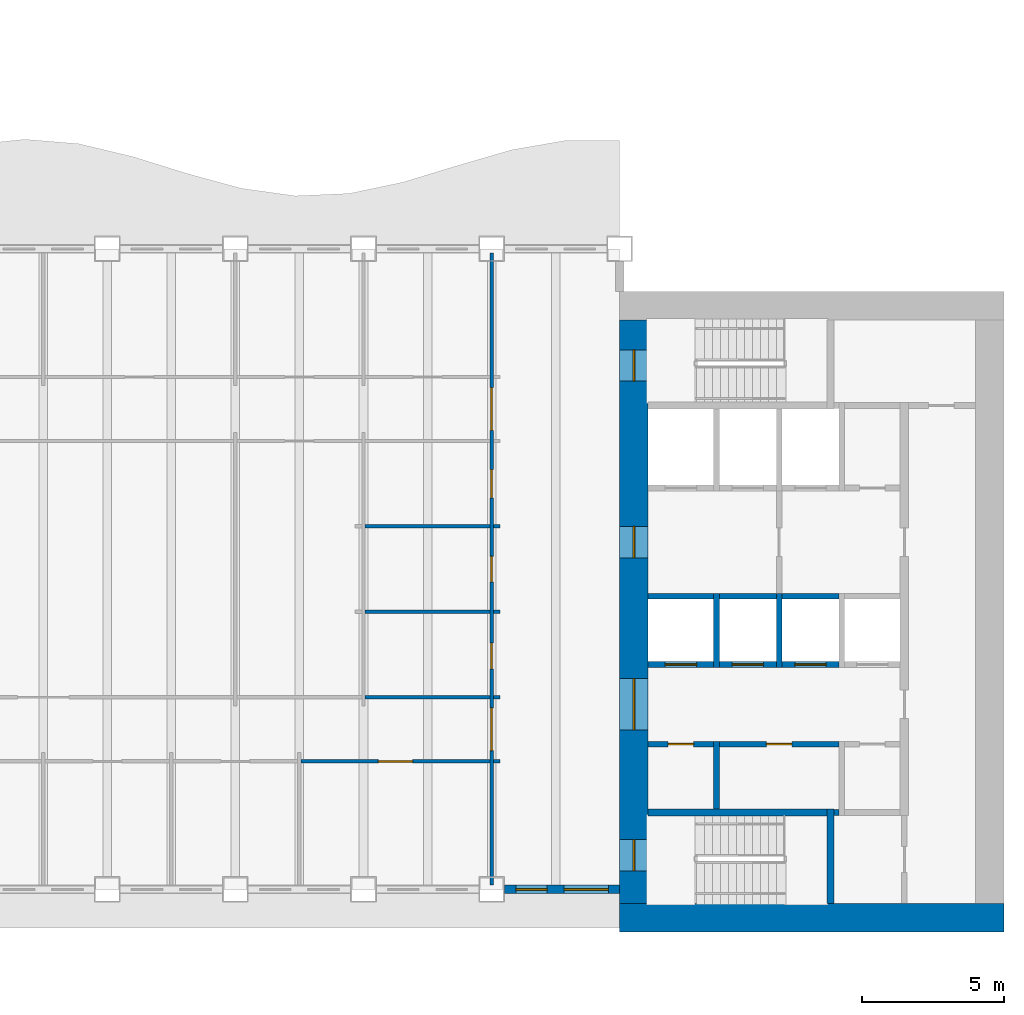
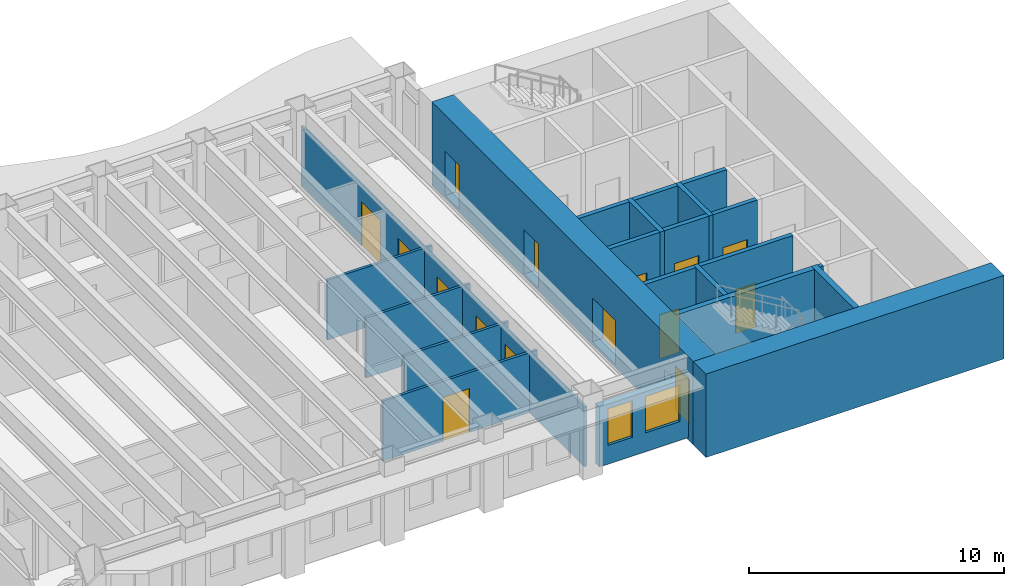
# One storey, part 6 of 16: 26 walls, 15 doors, 2 windows, 17 openings.
"""IFC4 building model written with IfcOpenShell, lengths in metres."""

from ifc_helpers import new_model, si_unit, direction, frame, frame_2d, origin, place, context, subcontext, project, spatial, rectangle, extrude, material, layer, layer_set, type_object, element, fill, save


model = new_model("IFC4")

# Units and contexts
model_context = context("Model", 3, precision=1e-05, world=origin(), true_north=direction((0.0, 1.0)))
body_context = subcontext(model_context, "Body", "Model", "MODEL_VIEW")
ifc_project = project(units=[si_unit("LENGTHUNIT", "METRE"), si_unit("AREAUNIT", "SQUARE_METRE"), si_unit("VOLUMEUNIT", "CUBIC_METRE"), si_unit("PLANEANGLEUNIT", "RADIAN"), si_unit("MASSUNIT", "GRAM", prefix="KILO")], contexts=[model_context])

# Site, building, storey
site_placement = place(None, origin())
site = spatial("IfcSite", under=ifc_project, at=site_placement, CompositionType="ELEMENT")
building_placement = place(site_placement, origin())
building = spatial("IfcBuilding", under=site, at=building_placement, Name="Sennacour Bend Tower", CompositionType="ELEMENT")
storey_placement = place(building_placement, frame((0.0, 0.0, 159.0)))
storey = spatial("IfcBuildingStorey", under=building, at=storey_placement, Name="L36", CompositionType="ELEMENT", Elevation=159.0)

# Wall
ifc_material_1 = material(Name="Concrete C60/75", Category="concrete")
ifc_layer_1 = layer(ifc_material_1, 1.0, Name="Concrete C60/75", Category="concrete")
ifc_layer_set_1 = layer_set([ifc_layer_1], Name="Concrete C60/75")
wall_type_1 = type_object("IfcWallType", Name="Core wall 1000 C60/75", PredefinedType="SHEAR", material=ifc_layer_set_1)
wall_1_placement = place(storey_placement, frame((67.5, 0.5, -0.14990234375), z_axis=(0.0, 0.0, 1.0), x_axis=(-1.0, 0.0, 0.0)))
element("IfcWall", 1, at=wall_1_placement, inside=storey, type_object=wall_type_1, Name="Core A wall L36 S", PredefinedType="SHEAR", context=body_context, shape_type="SweptSolid", body=[
    extrude(rectangle(XDim=13.5, YDim=1.0, at=frame_2d((6.75, 0.0))), origin(), (0.0, 0.0, 1.0), 4.0),
])

# Wall, openings, doors
wall_2_placement = place(storey_placement, frame((54.5, 1.0, -0.14990234375), z_axis=(0.0, 0.0, 1.0), x_axis=(0.0, 1.0, 0.0)))
wall_2 = element("IfcWall", 2, at=wall_2_placement, inside=storey, type_object=wall_type_1, Name="Core A wall L36 W", PredefinedType="SHEAR", context=body_context, shape_type="SweptSolid", body=[
    extrude(rectangle(XDim=20.5, YDim=1.0, at=frame_2d((10.25, 0.0))), origin(), (0.0, 0.0, 1.0), 4.0),
])
opening_1_placement = place(wall_2_placement, frame((6.10009765625, 0.0, 0.14990234375)))
opening_1 = element("IfcOpeningElement", 3, at=opening_1_placement, cuts=wall_2, Name="Opening CD", PredefinedType="OPENING", context=body_context, shape_type="SweptSolid", body=[
    extrude(rectangle(XDim=1.800048828125, YDim=2.10009765625, at=frame_2d((0.89990234375, 1.050048828125))), frame((0.0, 0.510009765625, 0.0), z_axis=(0.0, -1.0, 0.0), x_axis=(1.0, 0.0, 0.0)), (0.0, 0.0, 1.0), 1.02001953125),
])
opening_2_placement = place(wall_2_placement, frame((12.14990234375, 0.0, 0.14990234375)))
opening_2 = element("IfcOpeningElement", 4, at=opening_2_placement, cuts=wall_2, Name="Opening FD", PredefinedType="OPENING", context=body_context, shape_type="SweptSolid", body=[
    extrude(rectangle(XDim=1.10009765625, YDim=2.10009765625, at=frame_2d((0.550048828125, 1.050048828125))), frame((0.0, 0.510009765625, 0.0), z_axis=(0.0, -1.0, 0.0), x_axis=(1.0, 0.0, 0.0)), (0.0, 0.0, 1.0), 1.02001953125),
])
opening_3_placement = place(wall_2_placement, frame((1.14990234375, 0.0, 0.14990234375)))
opening_3 = element("IfcOpeningElement", 5, at=opening_3_placement, cuts=wall_2, Name="Opening SD", PredefinedType="OPENING", context=body_context, shape_type="SweptSolid", body=[
    extrude(rectangle(XDim=1.10009765625, YDim=2.10009765625, at=frame_2d((0.550048828125, 1.050048828125))), frame((0.0, 0.510009765625, 0.0), z_axis=(0.0, -1.0, 0.0), x_axis=(1.0, 0.0, 0.0)), (0.0, 0.0, 1.0), 1.02001953125),
])
opening_4_placement = place(wall_2_placement, frame((18.35009765625, 0.0, 0.14990234375)))
opening_4 = element("IfcOpeningElement", 6, at=opening_4_placement, cuts=wall_2, Name="Opening SD", PredefinedType="OPENING", context=body_context, shape_type="SweptSolid", body=[
    extrude(rectangle(XDim=1.10009765625, YDim=2.10009765625, at=frame_2d((0.550048828125, 1.050048828125))), frame((0.0, 0.510009765625, 0.0), z_axis=(0.0, -1.0, 0.0), x_axis=(1.0, 0.0, 0.0)), (0.0, 0.0, 1.0), 1.02001953125),
])
ifc_material_2 = material(Name="Painted steel", Category="steel")
door_type_1 = type_object("IfcDoorType", Name="DR-FFL-1100", OperationType="NOTDEFINED", PredefinedType="DOOR", material=ifc_material_2)
door_1_placement = place(opening_2_placement, origin())
door_1 = element("IfcDoor", 7, at=door_1_placement, inside=storey, type_object=door_type_1, Name="Door", OperationType="SINGLE_SWING_RIGHT", OverallHeight=2.10009765625, OverallWidth=1.10009765625, PredefinedType="DOOR", context=body_context, shape_type="SweptSolid", body=[
    extrude(rectangle(XDim=1.10009765625, YDim=2.10009765625, at=frame_2d((0.550048828125, 1.050048828125))), frame((0.0, 0.02490234375, 0.0), z_axis=(0.0, -1.0, 0.0), x_axis=(1.0, 0.0, 0.0)), (0.0, 0.0, 1.0), 0.050048828125),
])
fill(opening_2, door_1)
door_type_2 = type_object("IfcDoorType", Name="DR-LOBBY-1800", OperationType="NOTDEFINED", PredefinedType="DOOR", material=ifc_material_2)
door_2_placement = place(opening_1_placement, origin())
door_2 = element("IfcDoor", 8, at=door_2_placement, inside=storey, type_object=door_type_2, Name="Door", OperationType="DOUBLE_DOOR_SINGLE_SWING", OverallHeight=2.10009765625, OverallWidth=1.800048828125, PredefinedType="DOOR", context=body_context, shape_type="SweptSolid", body=[
    extrude(rectangle(XDim=1.800048828125, YDim=2.10009765625, at=frame_2d((0.89990234375, 1.050048828125))), frame((0.0, 0.02490234375, 0.0), z_axis=(0.0, -1.0, 0.0), x_axis=(1.0, 0.0, 0.0)), (0.0, 0.0, 1.0), 0.050048828125),
])
fill(opening_1, door_2)
door_type_3 = type_object("IfcDoorType", Name="DR-STAIR-1100", OperationType="NOTDEFINED", PredefinedType="DOOR", material=ifc_material_2)
door_3_placement = place(opening_3_placement, origin())
door_3 = element("IfcDoor", 9, at=door_3_placement, inside=storey, type_object=door_type_3, Name="Door", OperationType="SINGLE_SWING_LEFT", OverallHeight=2.10009765625, OverallWidth=1.10009765625, PredefinedType="DOOR", context=body_context, shape_type="SweptSolid", body=[
    extrude(rectangle(XDim=1.10009765625, YDim=2.10009765625, at=frame_2d((0.550048828125, 1.050048828125))), frame((0.0, 0.02490234375, 0.0), z_axis=(0.0, -1.0, 0.0), x_axis=(1.0, 0.0, 0.0)), (0.0, 0.0, 1.0), 0.050048828125),
])
fill(opening_3, door_3)
door_4_placement = place(opening_4_placement, origin())
door_4 = element("IfcDoor", 10, at=door_4_placement, inside=storey, type_object=door_type_3, Name="Door", OperationType="SINGLE_SWING_RIGHT", OverallHeight=2.10009765625, OverallWidth=1.10009765625, PredefinedType="DOOR", context=body_context, shape_type="SweptSolid", body=[
    extrude(rectangle(XDim=1.10009765625, YDim=2.10009765625, at=frame_2d((0.550048828125, 1.050048828125))), frame((0.0, 0.02490234375, 0.0), z_axis=(0.0, -1.0, 0.0), x_axis=(1.0, 0.0, 0.0)), (0.0, 0.0, 1.0), 0.050048828125),
])
fill(opening_4, door_4)

# Wall, opening, door
ifc_material_3 = material(Name="Plasterboard partition on steel studs", Category="steel")
ifc_layer_2 = layer(ifc_material_3, 0.1201171875, Name="Plasterboard partition on steel studs", Category="steel")
ifc_layer_set_2 = layer_set([ifc_layer_2], Name="Plasterboard partition on steel studs")
wall_type_2 = type_object("IfcWallType", Name="Partition 120", PredefinedType="PARTITIONING", material=ifc_layer_set_2)
wall_3_placement = place(storey_placement, frame((42.81005859375, 6.0, 0.0), z_axis=(0.0, 0.0, 1.0), x_axis=(1.0, 0.0, 0.0)))
wall_3 = element("IfcWall", 11, at=wall_3_placement, inside=storey, type_object=wall_type_2, Name="P-L36-W058ag", PredefinedType="PARTITIONING", context=body_context, shape_type="SweptSolid", body=[
    extrude(rectangle(XDim=6.6298828125, YDim=0.1201171875, at=frame_2d((3.31494140625, 0.0))), origin(), (0.0, 0.0, 1.0), 2.8701171875),
])
opening_5_placement = place(wall_3_placement, frame((2.71484375, 0.0, 0.0)))
opening_5 = element("IfcOpeningElement", 12, at=opening_5_placement, cuts=wall_3, Name="Opening OD", PredefinedType="OPENING", context=body_context, shape_type="SweptSolid", body=[
    extrude(rectangle(XDim=1.199951171875, YDim=2.10009765625, at=frame_2d((0.60009765625, 1.050048828125))), frame((0.0, 0.070068359375, 0.0), z_axis=(0.0, -1.0, 0.0), x_axis=(1.0, 0.0, 0.0)), (0.0, 0.0, 1.0), 0.14013671875),
])
ifc_material_4 = material(Name="Timber", Category="wood")
door_type_4 = type_object("IfcDoorType", Name="DR-OFFICE-1200", OperationType="NOTDEFINED", PredefinedType="DOOR", material=ifc_material_4)
door_5_placement = place(opening_5_placement, origin())
door_5 = element("IfcDoor", 13, at=door_5_placement, inside=storey, type_object=door_type_4, Name="Door", OperationType="SINGLE_SWING_LEFT", OverallHeight=2.10009765625, OverallWidth=1.199951171875, PredefinedType="DOOR", context=body_context, shape_type="SweptSolid", body=[
    extrude(rectangle(XDim=1.199951171875, YDim=2.10009765625, at=frame_2d((0.60009765625, 1.050048828125))), frame((0.0, 0.02490234375, 0.0), z_axis=(0.0, -1.0, 0.0), x_axis=(1.0, 0.0, 0.0)), (0.0, 0.0, 1.0), 0.050048828125),
])
fill(opening_5, door_5)

# Walls
wall_4_placement = place(storey_placement, frame((49.56005859375, 6.0, 0.0), z_axis=(0.0, 0.0, 1.0), x_axis=(1.0, 0.0, 0.0)))
element("IfcWall", 14, at=wall_4_placement, inside=storey, type_object=wall_type_2, Name="P-L36-W058ah", PredefinedType="PARTITIONING", context=body_context, shape_type="SweptSolid", body=[
    extrude(rectangle(XDim=0.239990234375, YDim=0.1201171875, at=frame_2d((0.1201171875, 0.0))), origin(), (0.0, 0.0, 1.0), 2.8701171875),
])
wall_5_placement = place(storey_placement, frame((45.06005859375, 8.25, 0.0), z_axis=(0.0, 0.0, 1.0), x_axis=(1.0, 0.0, 0.0)))
element("IfcWall", 15, at=wall_5_placement, inside=storey, type_object=wall_type_2, Name="P-L36-W060ad", PredefinedType="PARTITIONING", context=body_context, shape_type="SweptSolid", body=[
    extrude(rectangle(XDim=4.3798828125, YDim=0.1201171875, at=frame_2d((2.18994140625, 0.0))), origin(), (0.0, 0.0, 1.0), 2.8701171875),
])
wall_6_placement = place(storey_placement, frame((49.56005859375, 8.25, 0.0), z_axis=(0.0, 0.0, 1.0), x_axis=(1.0, 0.0, 0.0)))
element("IfcWall", 16, at=wall_6_placement, inside=storey, type_object=wall_type_2, Name="P-L36-W060ae", PredefinedType="PARTITIONING", context=body_context, shape_type="SweptSolid", body=[
    extrude(rectangle(XDim=0.239990234375, YDim=0.1201171875, at=frame_2d((0.1201171875, 0.0))), origin(), (0.0, 0.0, 1.0), 2.8701171875),
])
wall_7_placement = place(storey_placement, frame((45.06005859375, 11.25, 0.0), z_axis=(0.0, 0.0, 1.0), x_axis=(1.0, 0.0, 0.0)))
element("IfcWall", 17, at=wall_7_placement, inside=storey, type_object=wall_type_2, Name="P-L36-W064ab", PredefinedType="PARTITIONING", context=body_context, shape_type="SweptSolid", body=[
    extrude(rectangle(XDim=4.3798828125, YDim=0.1201171875, at=frame_2d((2.18994140625, 0.0))), origin(), (0.0, 0.0, 1.0), 2.8701171875),
])
wall_8_placement = place(storey_placement, frame((49.56005859375, 11.25, 0.0), z_axis=(0.0, 0.0, 1.0), x_axis=(1.0, 0.0, 0.0)))
element("IfcWall", 18, at=wall_8_placement, inside=storey, type_object=wall_type_2, Name="P-L36-W064ac", PredefinedType="PARTITIONING", context=body_context, shape_type="SweptSolid", body=[
    extrude(rectangle(XDim=0.239990234375, YDim=0.1201171875, at=frame_2d((0.1201171875, 0.0))), origin(), (0.0, 0.0, 1.0), 2.8701171875),
])
wall_9_placement = place(storey_placement, frame((45.06005859375, 14.25, 0.0), z_axis=(0.0, 0.0, 1.0), x_axis=(1.0, 0.0, 0.0)))
element("IfcWall", 19, at=wall_9_placement, inside=storey, type_object=wall_type_2, Name="P-L36-W066ab", PredefinedType="PARTITIONING", context=body_context, shape_type="SweptSolid", body=[
    extrude(rectangle(XDim=4.3798828125, YDim=0.1201171875, at=frame_2d((2.18994140625, 0.0))), origin(), (0.0, 0.0, 1.0), 2.8701171875),
])
wall_10_placement = place(storey_placement, frame((49.56005859375, 14.25, 0.0), z_axis=(0.0, 0.0, 1.0), x_axis=(1.0, 0.0, 0.0)))
element("IfcWall", 20, at=wall_10_placement, inside=storey, type_object=wall_type_2, Name="P-L36-W066ac", PredefinedType="PARTITIONING", context=body_context, shape_type="SweptSolid", body=[
    extrude(rectangle(XDim=0.239990234375, YDim=0.1201171875, at=frame_2d((0.1201171875, 0.0))), origin(), (0.0, 0.0, 1.0), 2.8701171875),
])

# Wall, openings, doors
ifc_layer_3 = layer(ifc_material_3, 0.1201171875, Name="Plasterboard partition on steel studs", Category="steel")
ifc_layer_set_3 = layer_set([ifc_layer_3], Name="Plasterboard partition on steel studs")
wall_type_3 = type_object("IfcWallType", Name="Partition 120 EI 30", PredefinedType="PARTITIONING", material=ifc_layer_set_3)
wall_11_placement = place(storey_placement, frame((49.5, 1.64990234375, 0.0), z_axis=(0.0, 0.0, 1.0), x_axis=(0.0, 1.0, 0.0)))
wall_11 = element("IfcWall", 21, at=wall_11_placement, inside=storey, type_object=wall_type_3, Name="P-L36-W036a", PredefinedType="PARTITIONING", context=body_context, shape_type="SweptSolid", body=[
    extrude(rectangle(XDim=22.2001953125, YDim=0.1201171875, at=frame_2d((11.10009765625, 0.0))), origin(), (0.0, 0.0, 1.0), 2.8701171875),
])
opening_6_placement = place(wall_11_placement, frame((4.72509765625, 0.0, 0.0)))
opening_6 = element("IfcOpeningElement", 22, at=opening_6_placement, cuts=wall_11, Name="Opening KD", PredefinedType="OPENING", context=body_context, shape_type="SweptSolid", body=[
    extrude(rectangle(XDim=1.5, YDim=2.10009765625, at=frame_2d((0.75, 1.050048828125))), frame((0.0, 0.070068359375, 0.0), z_axis=(0.0, -1.0, 0.0), x_axis=(1.0, 0.0, 0.0)), (0.0, 0.0, 1.0), 0.14013671875),
])
opening_7_placement = place(wall_11_placement, frame((15.97509765625, 0.0, 0.0)))
opening_7 = element("IfcOpeningElement", 23, at=opening_7_placement, cuts=wall_11, Name="Opening KD", PredefinedType="OPENING", context=body_context, shape_type="SweptSolid", body=[
    extrude(rectangle(XDim=1.5, YDim=2.10009765625, at=frame_2d((0.75, 1.050048828125))), frame((0.0, 0.070068359375, 0.0), z_axis=(0.0, -1.0, 0.0), x_axis=(1.0, 0.0, 0.0)), (0.0, 0.0, 1.0), 0.14013671875),
])
opening_8_placement = place(wall_11_placement, frame((7.60009765625, 0.0, 0.0)))
opening_8 = element("IfcOpeningElement", 24, at=opening_8_placement, cuts=wall_11, Name="Opening WD", PredefinedType="OPENING", context=body_context, shape_type="SweptSolid", body=[
    extrude(rectangle(XDim=0.89990234375, YDim=2.10009765625, at=frame_2d((0.449951171875, 1.050048828125))), frame((0.0, 0.070068359375, 0.0), z_axis=(0.0, -1.0, 0.0), x_axis=(1.0, 0.0, 0.0)), (0.0, 0.0, 1.0), 0.14013671875),
])
opening_9_placement = place(wall_11_placement, frame((10.650146484375, 0.0, 0.0)))
opening_9 = element("IfcOpeningElement", 25, at=opening_9_placement, cuts=wall_11, Name="Opening WD", PredefinedType="OPENING", context=body_context, shape_type="SweptSolid", body=[
    extrude(rectangle(XDim=0.89990234375, YDim=2.10009765625, at=frame_2d((0.449951171875, 1.050048828125))), frame((0.0, 0.070068359375, 0.0), z_axis=(0.0, -1.0, 0.0), x_axis=(1.0, 0.0, 0.0)), (0.0, 0.0, 1.0), 0.14013671875),
])
opening_10_placement = place(wall_11_placement, frame((13.60009765625, 0.0, 0.0)))
opening_10 = element("IfcOpeningElement", 26, at=opening_10_placement, cuts=wall_11, Name="Opening AD", PredefinedType="OPENING", context=body_context, shape_type="SweptSolid", body=[
    extrude(rectangle(XDim=1.0, YDim=2.10009765625, at=frame_2d((0.5, 1.050048828125))), frame((0.0, 0.070068359375, 0.0), z_axis=(0.0, -1.0, 0.0), x_axis=(1.0, 0.0, 0.0)), (0.0, 0.0, 1.0), 0.14013671875),
])
door_type_5 = type_object("IfcDoorType", Name="DR-ACC-WC-1000", OperationType="NOTDEFINED", PredefinedType="DOOR", material=ifc_material_4)
door_6_placement = place(opening_10_placement, origin())
door_6 = element("IfcDoor", 27, at=door_6_placement, inside=storey, type_object=door_type_5, Name="Door", OperationType="SINGLE_SWING_RIGHT", OverallHeight=2.10009765625, OverallWidth=1.0, PredefinedType="DOOR", context=body_context, shape_type="SweptSolid", body=[
    extrude(rectangle(XDim=1.0, YDim=2.10009765625, at=frame_2d((0.5, 1.050048828125))), frame((0.0, 0.02490234375, 0.0), z_axis=(0.0, -1.0, 0.0), x_axis=(1.0, 0.0, 0.0)), (0.0, 0.0, 1.0), 0.050048828125),
])
fill(opening_10, door_6)
door_type_6 = type_object("IfcDoorType", Name="DR-CORRIDOR-1500", OperationType="NOTDEFINED", PredefinedType="DOOR", material=ifc_material_2)
door_7_placement = place(opening_6_placement, origin())
door_7 = element("IfcDoor", 28, at=door_7_placement, inside=storey, type_object=door_type_6, Name="Door", OperationType="SINGLE_SWING_LEFT", OverallHeight=2.10009765625, OverallWidth=1.5, PredefinedType="DOOR", context=body_context, shape_type="SweptSolid", body=[
    extrude(rectangle(XDim=1.5, YDim=2.10009765625, at=frame_2d((0.75, 1.050048828125))), frame((0.0, 0.02490234375, 0.0), z_axis=(0.0, -1.0, 0.0), x_axis=(1.0, 0.0, 0.0)), (0.0, 0.0, 1.0), 0.050048828125),
])
fill(opening_6, door_7)
door_8_placement = place(opening_7_placement, origin())
door_8 = element("IfcDoor", 29, at=door_8_placement, inside=storey, type_object=door_type_6, Name="Door", OperationType="SINGLE_SWING_RIGHT", OverallHeight=2.10009765625, OverallWidth=1.5, PredefinedType="DOOR", context=body_context, shape_type="SweptSolid", body=[
    extrude(rectangle(XDim=1.5, YDim=2.10009765625, at=frame_2d((0.75, 1.050048828125))), frame((0.0, 0.02490234375, 0.0), z_axis=(0.0, -1.0, 0.0), x_axis=(1.0, 0.0, 0.0)), (0.0, 0.0, 1.0), 0.050048828125),
])
fill(opening_7, door_8)
door_type_7 = type_object("IfcDoorType", Name="DR-WC-900", OperationType="NOTDEFINED", PredefinedType="DOOR", material=ifc_material_4)
door_9_placement = place(opening_8_placement, origin())
door_9 = element("IfcDoor", 30, at=door_9_placement, inside=storey, type_object=door_type_7, Name="Door", OperationType="SINGLE_SWING_LEFT", OverallHeight=2.10009765625, OverallWidth=0.89990234375, PredefinedType="DOOR", context=body_context, shape_type="SweptSolid", body=[
    extrude(rectangle(XDim=0.89990234375, YDim=2.10009765625, at=frame_2d((0.449951171875, 1.050048828125))), frame((0.0, 0.02490234375, 0.0), z_axis=(0.0, -1.0, 0.0), x_axis=(1.0, 0.0, 0.0)), (0.0, 0.0, 1.0), 0.050048828125),
])
fill(opening_8, door_9)
door_10_placement = place(opening_9_placement, origin())
door_10 = element("IfcDoor", 31, at=door_10_placement, inside=storey, type_object=door_type_7, Name="Door", OperationType="SINGLE_SWING_RIGHT", OverallHeight=2.10009765625, OverallWidth=0.89990234375, PredefinedType="DOOR", context=body_context, shape_type="SweptSolid", body=[
    extrude(rectangle(XDim=0.89990234375, YDim=2.10009765625, at=frame_2d((0.449951171875, 1.050048828125))), frame((0.0, 0.02490234375, 0.0), z_axis=(0.0, -1.0, 0.0), x_axis=(1.0, 0.0, 0.0)), (0.0, 0.0, 1.0), 0.050048828125),
])
fill(opening_9, door_10)

# Walls
ifc_material_5 = material(Name="Fire-rated plasterboard partition on steel studs", Category="steel")
ifc_layer_4 = layer(ifc_material_5, 0.199951171875, Name="Fire-rated plasterboard partition on steel studs", Category="steel")
ifc_layer_set_4 = layer_set([ifc_layer_4], Name="Fire-rated plasterboard partition on steel studs")
wall_type_4 = type_object("IfcWallType", Name="Rated partition 200", PredefinedType="PARTITIONING", material=ifc_layer_set_4)
wall_12_placement = place(storey_placement, frame((57.39990234375, 4.324951171875, 0.0), z_axis=(0.0, 0.0, 1.0), x_axis=(0.0, 1.0, 0.0)))
element("IfcWall", 32, at=wall_12_placement, inside=storey, type_object=wall_type_4, Name="P-L36-W038", PredefinedType="PARTITIONING", context=body_context, shape_type="SweptSolid", body=[
    extrude(rectangle(XDim=2.375, YDim=0.199951171875, at=frame_2d((1.1875, 0.0))), origin(), (0.0, 0.0, 1.0), 3.85009765625),
])
wall_13_placement = place(storey_placement, frame((61.52490234375, 4.199951171875, 0.0), z_axis=(0.0, 0.0, 1.0), x_axis=(1.0, 0.0, 0.0)))
element("IfcWall", 33, at=wall_13_placement, inside=storey, type_object=wall_type_4, Name="P-L36-W057a", PredefinedType="PARTITIONING", context=body_context, shape_type="SweptSolid", body=[
    extrude(rectangle(XDim=0.175048828125, YDim=0.199951171875, at=frame_2d((0.08740234375, 0.0))), origin(), (0.0, 0.0, 1.0), 3.85009765625),
])

# Wall, opening, door
wall_14_placement = place(storey_placement, frame((55.0, 6.60009765625, 0.0), z_axis=(0.0, 0.0, 1.0), x_axis=(1.0, 0.0, 0.0)))
wall_14 = element("IfcWall", 34, at=wall_14_placement, inside=storey, type_object=wall_type_4, Name="P-L36-W059a", PredefinedType="PARTITIONING", context=body_context, shape_type="SweptSolid", body=[
    extrude(rectangle(XDim=2.300048828125, YDim=0.199951171875, at=frame_2d((1.14990234375, 0.0))), origin(), (0.0, 0.0, 1.0), 3.85009765625),
])
opening_11_placement = place(wall_14_placement, frame((0.699951171875, 0.0, 0.0)))
opening_11 = element("IfcOpeningElement", 35, at=opening_11_placement, cuts=wall_14, Name="Opening SV", PredefinedType="OPENING", context=body_context, shape_type="SweptSolid", body=[
    extrude(rectangle(XDim=0.89990234375, YDim=2.10009765625, at=frame_2d((0.449951171875, 1.050048828125))), frame((0.0, 0.10986328125, 0.0), z_axis=(0.0, -1.0, 0.0), x_axis=(1.0, 0.0, 0.0)), (0.0, 0.0, 1.0), 0.219970703125),
])
door_type_8 = type_object("IfcDoorType", Name="DR-SERVICE-900", OperationType="NOTDEFINED", PredefinedType="DOOR", material=ifc_material_2)
door_11_placement = place(opening_11_placement, origin())
door_11 = element("IfcDoor", 36, at=door_11_placement, inside=storey, type_object=door_type_8, Name="Door", OperationType="SINGLE_SWING_LEFT", OverallHeight=2.10009765625, OverallWidth=0.89990234375, PredefinedType="DOOR", context=body_context, shape_type="SweptSolid", body=[
    extrude(rectangle(XDim=0.89990234375, YDim=2.10009765625, at=frame_2d((0.449951171875, 1.050048828125))), frame((0.0, 0.02490234375, 0.0), z_axis=(0.0, -1.0, 0.0), x_axis=(1.0, 0.0, 0.0)), (0.0, 0.0, 1.0), 0.050048828125),
])
fill(opening_11, door_11)

wall_15_placement = place(storey_placement, frame((57.5, 6.60009765625, 0.0), z_axis=(0.0, 0.0, 1.0), x_axis=(1.0, 0.0, 0.0)))
wall_15 = element("IfcWall", 37, at=wall_15_placement, inside=storey, type_object=wall_type_4, Name="P-L36-W059b", PredefinedType="PARTITIONING", context=body_context, shape_type="SweptSolid", body=[
    extrude(rectangle(XDim=4.199951171875, YDim=0.199951171875, at=frame_2d((2.10009765625, 0.0))), origin(), (0.0, 0.0, 1.0), 3.85009765625),
])
opening_12_placement = place(wall_15_placement, frame((1.64990234375, 0.0, 0.0)))
opening_12 = element("IfcOpeningElement", 38, at=opening_12_placement, cuts=wall_15, Name="Opening WD", PredefinedType="OPENING", context=body_context, shape_type="SweptSolid", body=[
    extrude(rectangle(XDim=0.89990234375, YDim=2.10009765625, at=frame_2d((0.449951171875, 1.050048828125))), frame((0.0, 0.10986328125, 0.0), z_axis=(0.0, -1.0, 0.0), x_axis=(1.0, 0.0, 0.0)), (0.0, 0.0, 1.0), 0.219970703125),
])
door_12_placement = place(opening_12_placement, origin())
door_12 = element("IfcDoor", 39, at=door_12_placement, inside=storey, type_object=door_type_7, Name="Door", OperationType="SINGLE_SWING_RIGHT", OverallHeight=2.10009765625, OverallWidth=0.89990234375, PredefinedType="DOOR", context=body_context, shape_type="SweptSolid", body=[
    extrude(rectangle(XDim=0.89990234375, YDim=2.10009765625, at=frame_2d((0.449951171875, 1.050048828125))), frame((0.0, 0.02490234375, 0.0), z_axis=(0.0, -1.0, 0.0), x_axis=(1.0, 0.0, 0.0)), (0.0, 0.0, 1.0), 0.050048828125),
])
fill(opening_12, door_12)

# Wall, openings, windows
ifc_material_6 = material(Name="Warm limestone cladding", Category="masonry")
ifc_layer_5 = layer(ifc_material_6, 0.050048828125, Name="Warm limestone cladding", Category="masonry")
ifc_material_7 = material(Name="Precast concrete C40/50", Category="concrete")
ifc_layer_6 = layer(ifc_material_7, 0.25, Name="Precast concrete C40/50", Category="concrete")
ifc_layer_set_5 = layer_set([ifc_layer_5, ifc_layer_6], Name="Precast concrete C40/50 with limestone cladding")
wall_type_5 = type_object("IfcWallType", Name="STONE-CLAD PRECAST SPANDREL 300", PredefinedType="STANDARD", material=ifc_layer_set_5)
wall_16_placement = place(storey_placement, frame((49.949951171875, 1.5, 0.0), z_axis=(0.0, 0.0, 1.0), x_axis=(1.0, 0.0, 0.0)))
wall_16 = element("IfcWall", 40, at=wall_16_placement, inside=storey, type_object=wall_type_5, Name="Stone spandrel and pier wall L36 02.06", PredefinedType="STANDARD", context=body_context, shape_type="SweptSolid", body=[
    extrude(rectangle(XDim=4.050048828125, YDim=0.300048828125, at=frame_2d((2.02490234375, 0.0))), origin(), (0.0, 0.0, 1.0), 2.8701171875),
])
opening_13_placement = place(wall_16_placement, frame((0.39990234375, 0.0, 0.89990234375)))
opening_13 = element("IfcOpeningElement", 41, at=opening_13_placement, cuts=wall_16, Name="Opening W17", PredefinedType="OPENING", context=body_context, shape_type="SweptSolid", body=[
    extrude(rectangle(XDim=1.10009765625, YDim=1.75, at=frame_2d((0.550048828125, 0.875))), frame((0.0, 0.16015625, 0.0), z_axis=(0.0, -1.0, 0.0), x_axis=(1.0, 0.0, 0.0)), (0.0, 0.0, 1.0), 0.320068359375),
])
opening_14_placement = place(wall_16_placement, frame((2.10009765625, 0.0, 0.89990234375)))
opening_14 = element("IfcOpeningElement", 42, at=opening_14_placement, cuts=wall_16, Name="Opening W12", PredefinedType="OPENING", context=body_context, shape_type="SweptSolid", body=[
    extrude(rectangle(XDim=1.550048828125, YDim=1.75, at=frame_2d((0.77490234375, 0.875))), frame((0.0, 0.16015625, 0.0), z_axis=(0.0, -1.0, 0.0), x_axis=(1.0, 0.0, 0.0)), (0.0, 0.0, 1.0), 0.320068359375),
])
ifc_material_8 = material(Name="Clear low-emissivity glass", Category="glass")
window_type_1 = type_object("IfcWindowType", Name="WIN-RIBBON-1100x1750", PartitioningType="SINGLE_PANEL", PredefinedType="WINDOW", material=ifc_material_8)
window_1_placement = place(opening_13_placement, origin())
window_1 = element("IfcWindow", 43, at=window_1_placement, inside=storey, type_object=window_type_1, Name="Ribbon window L36 02.06.0", OverallHeight=1.75, OverallWidth=1.10009765625, PartitioningType="SINGLE_PANEL", PredefinedType="WINDOW", context=body_context, shape_type="SweptSolid", body=[
    extrude(rectangle(XDim=1.10009765625, YDim=1.75, at=frame_2d((0.550048828125, 0.875))), frame((0.0, 0.030029296875, 0.0), z_axis=(0.0, -1.0, 0.0), x_axis=(1.0, 0.0, 0.0)), (0.0, 0.0, 1.0), 0.06005859375),
])
fill(opening_13, window_1)
window_type_2 = type_object("IfcWindowType", Name="WIN-RIBBON-1550x1750", PartitioningType="SINGLE_PANEL", PredefinedType="WINDOW", material=ifc_material_8)
window_2_placement = place(opening_14_placement, origin())
window_2 = element("IfcWindow", 44, at=window_2_placement, inside=storey, type_object=window_type_2, Name="Ribbon window L36 02.06.1", OverallHeight=1.75, OverallWidth=1.550048828125, PartitioningType="SINGLE_PANEL", PredefinedType="WINDOW", context=body_context, shape_type="SweptSolid", body=[
    extrude(rectangle(XDim=1.550048828125, YDim=1.75, at=frame_2d((0.77490234375, 0.875))), frame((0.0, 0.030029296875, 0.0), z_axis=(0.0, -1.0, 0.0), x_axis=(1.0, 0.0, 0.0)), (0.0, 0.0, 1.0), 0.06005859375),
])
fill(opening_14, window_2)

# Walls
ifc_material_9 = material(Name="Concrete C50/60", Category="concrete")
ifc_layer_7 = layer(ifc_material_9, 0.199951171875, Name="Concrete C50/60", Category="concrete")
ifc_layer_set_6 = layer_set([ifc_layer_7], Name="Concrete C50/60")
wall_type_6 = type_object("IfcWallType", Name="Shaft wall 200", PredefinedType="SOLIDWALL", material=ifc_layer_set_6)
for number, where, z_axis, x_axis, name in (
    (45, (57.39990234375, 9.300048828125, 0.0), (0.0, 0.0, 1.0), (0.0, 1.0, 0.0), "P-L36-W039"),
    (46, (59.60009765625, 9.300048828125, 0.0), (0.0, 0.0, 1.0), (0.0, 1.0, 0.0), "P-L36-W041"),
):
    element("IfcWall", number, at=place(storey_placement, frame(where, z_axis=z_axis, x_axis=x_axis)), inside=storey, type_object=wall_type_6, Name=name, PredefinedType="SOLIDWALL", context=body_context, shape_type="SweptSolid", body=[
        extrude(rectangle(XDim=2.599853515625, YDim=0.199951171875, at=frame_2d((1.2998046875, 0.0))), origin(), (0.0, 0.0, 1.0), 3.85009765625),
    ])

# Wall, opening, door
wall_17_placement = place(storey_placement, frame((55.0, 9.39990234375, 0.0), z_axis=(0.0, 0.0, 1.0), x_axis=(1.0, 0.0, 0.0)))
wall_17 = element("IfcWall", 47, at=wall_17_placement, inside=storey, type_object=wall_type_6, Name="P-L36-W062a", PredefinedType="SOLIDWALL", context=body_context, shape_type="SweptSolid", body=[
    extrude(rectangle(XDim=2.300048828125, YDim=0.199951171875, at=frame_2d((1.14990234375, 0.0))), origin(), (0.0, 0.0, 1.0), 3.85009765625),
])
opening_15_placement = place(wall_17_placement, frame((0.60009765625, 0.0, 0.011962890625)))
opening_15 = element("IfcOpeningElement", 48, at=opening_15_placement, cuts=wall_17, Name="Opening LD", PredefinedType="OPENING", context=body_context, shape_type="SweptSolid", body=[
    extrude(rectangle(XDim=1.10009765625, YDim=2.10009765625, at=frame_2d((0.550048828125, 1.050048828125))), frame((0.0, 0.10986328125, 0.0), z_axis=(0.0, -1.0, 0.0), x_axis=(1.0, 0.0, 0.0)), (0.0, 0.0, 1.0), 0.219970703125),
])
ifc_material_10 = material(Name="Stainless steel", Category="steel")
door_type_9 = type_object("IfcDoorType", Name="DR-LANDING-1100", OperationType="NOTDEFINED", PredefinedType="DOOR", material=ifc_material_10)
door_13_placement = place(opening_15_placement, origin())
door_13 = element("IfcDoor", 49, at=door_13_placement, inside=storey, type_object=door_type_9, Name="Lift landing door HA1", OperationType="SLIDING_TO_LEFT", OverallHeight=2.10009765625, OverallWidth=1.10009765625, PredefinedType="DOOR", context=body_context, shape_type="SweptSolid", body=[
    extrude(rectangle(XDim=1.10009765625, YDim=2.10009765625, at=frame_2d((0.550048828125, 1.050048828125))), frame((0.0, 0.02490234375, 0.0), z_axis=(0.0, -1.0, 0.0), x_axis=(1.0, 0.0, 0.0)), (0.0, 0.0, 1.0), 0.050048828125),
])
fill(opening_15, door_13)

wall_18_placement = place(storey_placement, frame((57.5, 9.39990234375, 0.0), z_axis=(0.0, 0.0, 1.0), x_axis=(1.0, 0.0, 0.0)))
wall_18 = element("IfcWall", 50, at=wall_18_placement, inside=storey, type_object=wall_type_6, Name="P-L36-W062b", PredefinedType="SOLIDWALL", context=body_context, shape_type="SweptSolid", body=[
    extrude(rectangle(XDim=2.0, YDim=0.199951171875, at=frame_2d((1.0, 0.0))), origin(), (0.0, 0.0, 1.0), 3.85009765625),
])
opening_16_placement = place(wall_18_placement, frame((0.449951171875, 0.0, 0.011962890625)))
opening_16 = element("IfcOpeningElement", 51, at=opening_16_placement, cuts=wall_18, Name="Opening LD", PredefinedType="OPENING", context=body_context, shape_type="SweptSolid", body=[
    extrude(rectangle(XDim=1.10009765625, YDim=2.10009765625, at=frame_2d((0.550048828125, 1.050048828125))), frame((0.0, 0.10986328125, 0.0), z_axis=(0.0, -1.0, 0.0), x_axis=(1.0, 0.0, 0.0)), (0.0, 0.0, 1.0), 0.219970703125),
])
door_14_placement = place(opening_16_placement, origin())
door_14 = element("IfcDoor", 52, at=door_14_placement, inside=storey, type_object=door_type_9, Name="Lift landing door HA2", OperationType="SLIDING_TO_RIGHT", OverallHeight=2.10009765625, OverallWidth=1.10009765625, PredefinedType="DOOR", context=body_context, shape_type="SweptSolid", body=[
    extrude(rectangle(XDim=1.10009765625, YDim=2.10009765625, at=frame_2d((0.550048828125, 1.050048828125))), frame((0.0, 0.02490234375, 0.0), z_axis=(0.0, -1.0, 0.0), x_axis=(1.0, 0.0, 0.0)), (0.0, 0.0, 1.0), 0.050048828125),
])
fill(opening_16, door_14)

wall_19_placement = place(storey_placement, frame((59.699951171875, 9.39990234375, 0.0), z_axis=(0.0, 0.0, 1.0), x_axis=(1.0, 0.0, 0.0)))
wall_19 = element("IfcWall", 53, at=wall_19_placement, inside=storey, type_object=wall_type_6, Name="P-L36-W062c", PredefinedType="SOLIDWALL", context=body_context, shape_type="SweptSolid", body=[
    extrude(rectangle(XDim=2.0, YDim=0.199951171875, at=frame_2d((1.0, 0.0))), origin(), (0.0, 0.0, 1.0), 3.85009765625),
])
opening_17_placement = place(wall_19_placement, frame((0.449951171875, 0.0, 0.011962890625)))
opening_17 = element("IfcOpeningElement", 54, at=opening_17_placement, cuts=wall_19, Name="Opening LD", PredefinedType="OPENING", context=body_context, shape_type="SweptSolid", body=[
    extrude(rectangle(XDim=1.10009765625, YDim=2.10009765625, at=frame_2d((0.550048828125, 1.050048828125))), frame((0.0, 0.10986328125, 0.0), z_axis=(0.0, -1.0, 0.0), x_axis=(1.0, 0.0, 0.0)), (0.0, 0.0, 1.0), 0.219970703125),
])
door_15_placement = place(opening_17_placement, origin())
door_15 = element("IfcDoor", 55, at=door_15_placement, inside=storey, type_object=door_type_9, Name="Lift landing door HA3", OperationType="SLIDING_TO_LEFT", OverallHeight=2.10009765625, OverallWidth=1.10009765625, PredefinedType="DOOR", context=body_context, shape_type="SweptSolid", body=[
    extrude(rectangle(XDim=1.10009765625, YDim=2.10009765625, at=frame_2d((0.550048828125, 1.050048828125))), frame((0.0, 0.02490234375, 0.0), z_axis=(0.0, -1.0, 0.0), x_axis=(1.0, 0.0, 0.0)), (0.0, 0.0, 1.0), 0.050048828125),
])
fill(opening_17, door_15)

# Walls
wall_20_placement = place(storey_placement, frame((55.0, 11.800048828125, 0.0), z_axis=(0.0, 0.0, 1.0), x_axis=(1.0, 0.0, 0.0)))
element("IfcWall", 56, at=wall_20_placement, inside=storey, type_object=wall_type_6, Name="P-L36-W065a", PredefinedType="SOLIDWALL", context=body_context, shape_type="SweptSolid", body=[
    extrude(rectangle(XDim=2.300048828125, YDim=0.199951171875, at=frame_2d((1.14990234375, 0.0))), origin(), (0.0, 0.0, 1.0), 3.85009765625),
])
for number, where, z_axis, x_axis, name in (
    (57, (57.5, 11.800048828125, 0.0), (0.0, 0.0, 1.0), (1.0, 0.0, 0.0), "P-L36-W065b"),
    (58, (59.699951171875, 11.800048828125, 0.0), (0.0, 0.0, 1.0), (1.0, 0.0, 0.0), "P-L36-W065c"),
):
    element("IfcWall", number, at=place(storey_placement, frame(where, z_axis=z_axis, x_axis=x_axis)), inside=storey, type_object=wall_type_6, Name=name, PredefinedType="SOLIDWALL", context=body_context, shape_type="SweptSolid", body=[
        extrude(rectangle(XDim=2.0, YDim=0.199951171875, at=frame_2d((1.0, 0.0))), origin(), (0.0, 0.0, 1.0), 3.85009765625),
    ])
ifc_layer_8 = layer(ifc_material_1, 0.25, Name="Concrete C60/75", Category="concrete")
ifc_layer_set_7 = layer_set([ifc_layer_8], Name="Concrete C60/75")
wall_type_7 = type_object("IfcWallType", Name="Stair wall 250", PredefinedType="SHEAR", material=ifc_layer_set_7)
wall_21_placement = place(storey_placement, frame((61.39990234375, 1.0, 0.0), z_axis=(0.0, 0.0, 1.0), x_axis=(0.0, 1.0, 0.0)))
element("IfcWall", 59, at=wall_21_placement, inside=storey, type_object=wall_type_7, Name="P-L36-W044", PredefinedType="SHEAR", context=body_context, shape_type="SweptSolid", body=[
    extrude(rectangle(XDim=3.324951171875, YDim=0.25, at=frame_2d((1.66259765625, 0.0))), origin(), (0.0, 0.0, 1.0), 3.85009765625),
])
wall_22_placement = place(storey_placement, frame((55.0, 4.199951171875, 0.0), z_axis=(0.0, 0.0, 1.0), x_axis=(1.0, 0.0, 0.0)))
element("IfcWall", 60, at=wall_22_placement, inside=storey, type_object=wall_type_7, Name="P-L36-W056", PredefinedType="SHEAR", context=body_context, shape_type="SweptSolid", body=[
    extrude(rectangle(XDim=6.27490234375, YDim=0.25, at=frame_2d((3.137451171875, 0.0))), origin(), (0.0, 0.0, 1.0), 3.85009765625),
])

save(model, "model.ifc")
